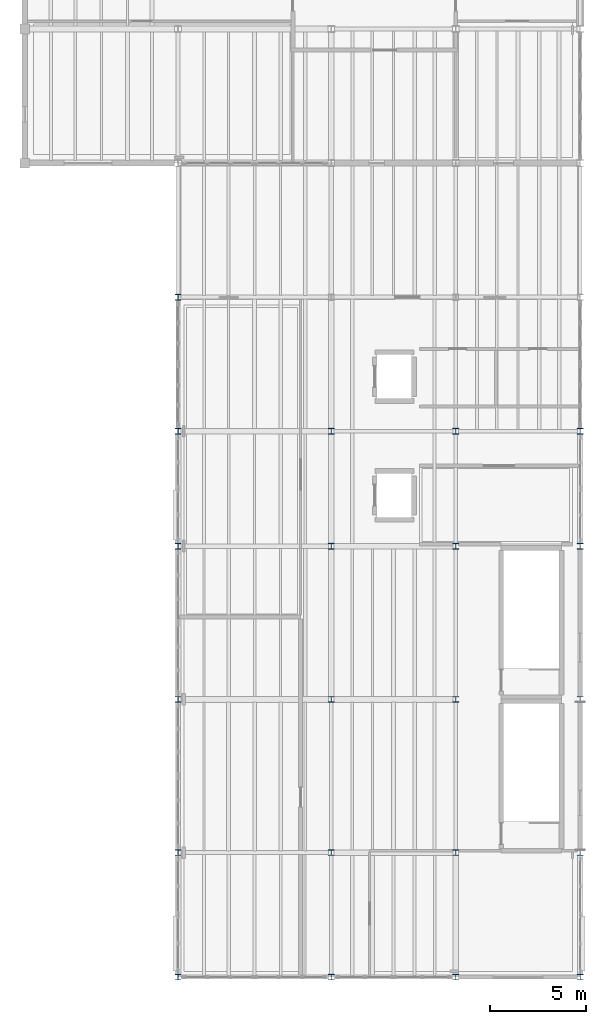
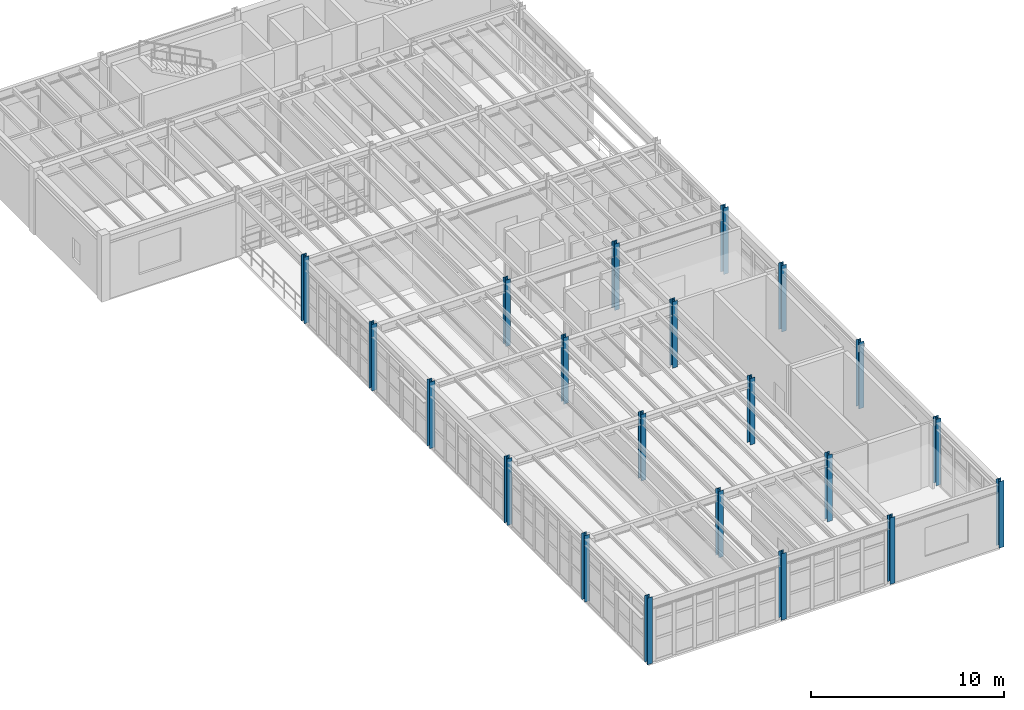
# One storey, part 1 of 27: 21 columns.
"""IFC4 building model written with IfcOpenShell, lengths in metres."""

from ifc_helpers import new_model, si_unit, direction, frame, origin, origin_2d, place, context, subcontext, project, spatial, i_section, extrude, material, material_profile, profile_set, type_object, element, save


model = new_model("IFC4")

# Units and contexts
model_context = context("Model", 3, precision=1e-05, world=origin(), true_north=direction((0.0, 1.0)))
body_context = subcontext(model_context, "Body", "Model", "MODEL_VIEW")
ifc_project = project(units=[si_unit("LENGTHUNIT", "METRE"), si_unit("AREAUNIT", "SQUARE_METRE"), si_unit("VOLUMEUNIT", "CUBIC_METRE"), si_unit("PLANEANGLEUNIT", "RADIAN"), si_unit("MASSUNIT", "GRAM", prefix="KILO"), si_unit("THERMODYNAMICTEMPERATUREUNIT", "KELVIN"), si_unit("POWERUNIT", "WATT")], contexts=[model_context])

# Site, building, storey
site_placement = place(None, origin())
site = spatial("IfcSite", under=ifc_project, at=site_placement, CompositionType="ELEMENT")
building_placement = place(site_placement, origin())
building = spatial("IfcBuilding", under=site, at=building_placement, Name="Zhenchuan Central Fire Station", CompositionType="ELEMENT")
storey_placement = place(building_placement, frame((0.0, 0.0, 14.25)))
storey = spatial("IfcBuildingStorey", under=building, at=storey_placement, Name="L04", CompositionType="ELEMENT", Elevation=14.25)

# Columns
ifc_material = material(Name="Steel Q355B", Category="steel")
ifc_material_profile_1 = material_profile(ifc_material, i_section(OverallWidth=0.300048828125, OverallDepth=0.300048828125, WebThickness=0.010009765625, FlangeThickness=0.014892578125, FilletRadius=0.01806640625, at=origin_2d()), Name="HW 300x300")
ifc_profile_set_1 = profile_set([ifc_material_profile_1], Name="Steel Q355B")
column_type_1 = type_object("IfcColumnType", Name="COL-HW300", PredefinedType="COLUMN", material=ifc_profile_set_1)
for number, where, z_axis, x_axis, name in (
    (1, (140.0, 0.0, 0.0), (0.0, 0.0, 1.0), (1.0, 0.0, 0.0), "L04 Column 004"),
    (2, (148.0, 0.0, 0.0), (0.0, 0.0, 1.0), (1.0, 0.0, 0.0), "L04 Column 013"),
    (3, (154.5, 0.0, 0.0), (0.0, 0.0, 1.0), (1.0, 0.0, 0.0), "L04 Column 022"),
    (4, (161.0, 0.0, 0.0), (0.0, 0.0, 1.0), (1.0, 0.0, 0.0), "L04 Column 030"),
    (5, (161.0, 6.5, 0.0), (0.0, 0.0, 1.0), (1.0, 0.0, 0.0), "L04 Column 031"),
    (6, (161.0, 14.5, 0.0), (0.0, 0.0, 1.0), (1.0, 0.0, 0.0), "L04 Column 032"),
    (7, (161.0, 22.5, 0.0), (0.0, 0.0, 1.0), (1.0, 0.0, 0.0), "L04 Column 033"),
    (8, (161.0, 28.5, 0.0), (0.0, 0.0, 1.0), (1.0, 0.0, 0.0), "L04 Column 034"),
):
    element("IfcColumn", number, at=place(storey_placement, frame(where, z_axis=z_axis, x_axis=x_axis)), inside=storey, type_object=column_type_1, Name=name, PredefinedType="COLUMN", context=body_context, shape_type="SweptSolid", body=[
        extrude(i_section(OverallWidth=0.300048828125, OverallDepth=0.300048828125, WebThickness=0.010009765625, FlangeThickness=0.014892578125, FilletRadius=0.01806640625, at=origin_2d()), origin(), (0.0, 0.0, 1.0), 4.199951171875),
    ])
ifc_material_profile_2 = material_profile(ifc_material, i_section(OverallWidth=0.300048828125, OverallDepth=0.300048828125, WebThickness=0.010009765625, FlangeThickness=0.014892578125, FilletRadius=0.01806640625, at=origin_2d()), Name="HW 300x300")
ifc_profile_set_2 = profile_set([ifc_material_profile_2], Name="Steel Q355B")
column_type_2 = type_object("IfcColumnType", Name="COL-HW300-INT", PredefinedType="COLUMN", material=ifc_profile_set_2)
for number, where, z_axis, x_axis, name in (
    (9, (140.0, 6.5, 0.0), (0.0, 0.0, 1.0), (1.0, 0.0, 0.0), "L04 Column 005"),
    (10, (140.0, 14.5, 0.0), (0.0, 0.0, 1.0), (1.0, 0.0, 0.0), "L04 Column 006"),
    (11, (140.0, 22.5, 0.0), (0.0, 0.0, 1.0), (1.0, 0.0, 0.0), "L04 Column 007"),
    (12, (140.0, 28.5, 0.0), (0.0, 0.0, 1.0), (1.0, 0.0, 0.0), "L04 Column 008"),
    (13, (140.0, 35.5, 0.0), (0.0, 0.0, 1.0), (1.0, 0.0, 0.0), "L04 Column 009"),
    (14, (148.0, 6.5, 0.0), (0.0, 0.0, 1.0), (1.0, 0.0, 0.0), "L04 Column 014"),
    (15, (148.0, 14.5, 0.0), (0.0, 0.0, 1.0), (1.0, 0.0, 0.0), "L04 Column 015"),
    (16, (148.0, 22.5, 0.0), (0.0, 0.0, 1.0), (1.0, 0.0, 0.0), "L04 Column 016"),
    (17, (148.0, 28.5, 0.0), (0.0, 0.0, 1.0), (1.0, 0.0, 0.0), "L04 Column 017"),
    (18, (154.5, 6.5, 0.0), (0.0, 0.0, 1.0), (1.0, 0.0, 0.0), "L04 Column 023"),
    (19, (154.5, 14.5, 0.0), (0.0, 0.0, 1.0), (1.0, 0.0, 0.0), "L04 Column 024"),
    (20, (154.5, 22.5, 0.0), (0.0, 0.0, 1.0), (1.0, 0.0, 0.0), "L04 Column 025"),
    (21, (154.5, 28.5, 0.0), (0.0, 0.0, 1.0), (1.0, 0.0, 0.0), "L04 Column 026"),
):
    element("IfcColumn", number, at=place(storey_placement, frame(where, z_axis=z_axis, x_axis=x_axis)), inside=storey, type_object=column_type_2, Name=name, PredefinedType="COLUMN", context=body_context, shape_type="SweptSolid", body=[
        extrude(i_section(OverallWidth=0.300048828125, OverallDepth=0.300048828125, WebThickness=0.010009765625, FlangeThickness=0.014892578125, FilletRadius=0.01806640625, at=origin_2d()), origin(), (0.0, 0.0, 1.0), 4.199951171875),
    ])

save(model, "model.ifc")
